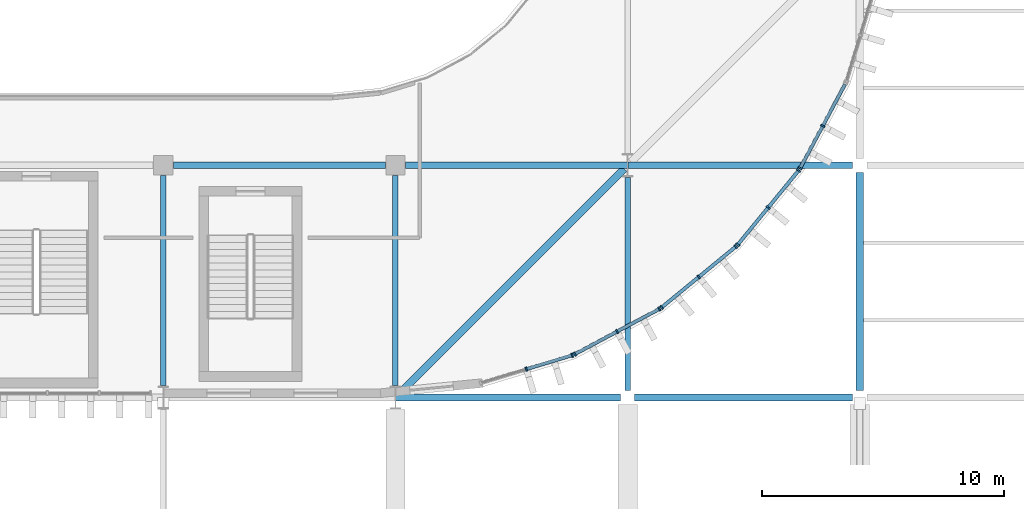
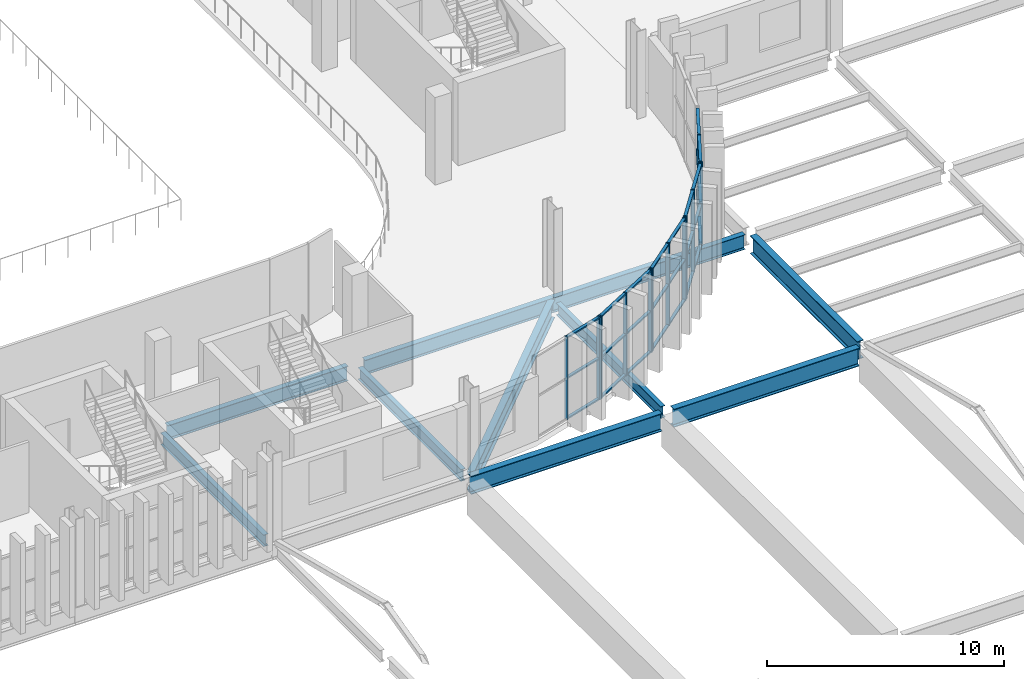
# One storey, part 18 of 75: 40 members, 10 beams, 5 elements without a shape of their own.
"""IFC4 building model written with IfcOpenShell, lengths in metres."""

import ifcopenshell
import ifcopenshell.guid

model = None  # the IFC model being written
_history = None  # IfcOwnerHistory: only IFC2X3 demands one
_inside = {}  # id of a spatial element -> (the spatial element, [elements in it])
_under = {}  # id of a project, library or spatial element -> (it, [spatial elements below it])
_declared = {}  # id of a project -> (the project, [libraries it declares])
_typed = {}  # id of a type object -> (the type object, [elements of that type])
_made_of = {}  # id of a material, layer set ... -> (it, [elements and type objects made of it])


def new_model(schema):
    """Start an empty IFC model of exactly this schema.

    Asked for "IFC4X3", IfcOpenShell would pick the latest addendum, in which some entities
    have other attributes; the version numbers below select the first issue.
    IFC2X3 requires an IfcOwnerHistory on every rooted entity: one is made here for all.
    """
    global model, _history
    if schema == "IFC4X3":
        model = ifcopenshell.file(schema_version=(4, 3, 0, 0))
    else:
        model = ifcopenshell.file(schema=schema)
    _inside.clear()
    _under.clear()
    _declared.clear()
    _typed.clear()
    _made_of.clear()
    _history = None
    if model.schema == "IFC2X3":
        org = make("IfcOrganization", Name="unknown")
        user = make(
            "IfcPersonAndOrganization",
            ThePerson=make("IfcPerson", FamilyName="unknown"),
            TheOrganization=org,
        )
        app = make(
            "IfcApplication",
            ApplicationDeveloper=org,
            Version="unknown",
            ApplicationFullName="unknown",
            ApplicationIdentifier="unknown",
        )
        _history = make(
            "IfcOwnerHistory",
            OwningUser=user,
            OwningApplication=app,
            ChangeAction="ADDED",
            CreationDate=0,
        )
    return model


def make(cls, **values):
    """One entity of the class cls with the attributes given. An attribute that is None is left unset."""
    return model.create_entity(
        cls, **{name: value for name, value in values.items() if value is not None}
    )


def rooted(cls, **values):
    """An entity with a GlobalId (a new one), such as an element, a storey or a relation."""
    return make(cls, GlobalId=ifcopenshell.guid.new(), OwnerHistory=_history, **values)


def si_unit(unit_type, name, prefix=None):
    """IfcSIUnit, for example si_unit("LENGTHUNIT", "METRE", prefix="MILLI")."""
    return make("IfcSIUnit", UnitType=unit_type, Prefix=prefix, Name=name)


def assignment(units):
    """IfcUnitAssignment: the units of a project."""
    return None if units is None else make("IfcUnitAssignment", Units=units)


def point(xyz):
    """IfcCartesianPoint."""
    return None if xyz is None else make("IfcCartesianPoint", Coordinates=xyz)


def direction(xyz):
    """IfcDirection."""
    return None if xyz is None else make("IfcDirection", DirectionRatios=xyz)


def frame(location, z_axis=None, x_axis=None):
    """IfcAxis2Placement3D, a coordinate frame: its origin and axes. An axis left out is left unset."""
    return make(
        "IfcAxis2Placement3D",
        Location=point(location),
        Axis=direction(z_axis),
        RefDirection=direction(x_axis),
    )


def frame_2d(location, x_axis=None):
    """IfcAxis2Placement2D, a coordinate frame in the plane: its origin and x axis."""
    return make(
        "IfcAxis2Placement2D", Location=point(location), RefDirection=direction(x_axis)
    )


def origin():
    """The frame at (0, 0, 0) with its axes left unset."""
    return frame((0.0, 0.0, 0.0))


def origin_2d():
    """The frame at (0, 0) in the plane with its x axis left unset."""
    return frame_2d((0.0, 0.0))


def place(relative_to, where):
    """IfcLocalPlacement: puts the frame where relative to a parent placement (None: the world)."""
    return make(
        "IfcLocalPlacement", PlacementRelTo=relative_to, RelativePlacement=where
    )


def context(
    kind, dimensions, precision=None, world=None, true_north=None, identifier=None
):
    """IfcGeometricRepresentationContext, for example the 3D "Model" context."""
    return make(
        "IfcGeometricRepresentationContext",
        ContextIdentifier=identifier,
        ContextType=kind,
        CoordinateSpaceDimension=dimensions,
        Precision=precision,
        WorldCoordinateSystem=world,
        TrueNorth=true_north,
    )


def subcontext(parent, identifier, kind, view, scale=None):
    """IfcGeometricRepresentationSubContext, for example "Body" below "Model"."""
    return make(
        "IfcGeometricRepresentationSubContext",
        ContextIdentifier=identifier,
        ContextType=kind,
        ParentContext=parent,
        TargetScale=scale,
        TargetView=view,
    )


def project(units=None, contexts=None):
    """IfcProject with its units and contexts."""
    return rooted(
        "IfcProject",
        Name="project",
        RepresentationContexts=contexts,
        UnitsInContext=assignment(units),
    )


def spatial(cls, under=None, at=None, **own):
    """A site, building, storey or space (cls), placed at a placement, below another one or the project."""
    s = rooted(cls, ObjectPlacement=at, **own)
    if under is not None:
        _under.setdefault(under.id(), (under, []))[1].append(s)
    return s


def profile(cls, at=None, kind="AREA", **sizes):
    """A parametric profile (cls). Its sizes go by their IFC names, for example OverallWidth=200.0."""
    return make(cls, ProfileType=kind, Position=at, **sizes)


def rectangle(**sizes):
    """IfcRectangleProfileDef."""
    return profile("IfcRectangleProfileDef", **sizes)


def i_section(**sizes):
    """IfcIShapeProfileDef."""
    return profile("IfcIShapeProfileDef", **sizes)


def extrude(swept, where, along, depth):
    """IfcExtrudedAreaSolid: the profile swept, set in the frame where, extruded along a direction by depth."""
    return make(
        "IfcExtrudedAreaSolid",
        SweptArea=swept,
        Position=where,
        ExtrudedDirection=direction(along),
        Depth=depth,
    )


def shape(context_of_items, identifier, shape_type, items):
    """IfcShapeRepresentation: the items that make up one representation, for example the "Body"."""
    return make(
        "IfcShapeRepresentation",
        ContextOfItems=context_of_items,
        RepresentationIdentifier=identifier,
        RepresentationType=shape_type,
        Items=items,
    )


def material(Name=None, Category=None):
    """IfcMaterial."""
    return make("IfcMaterial", Name=Name, Category=Category)


def layer(
    of_material, thickness, ventilated=None, Name=None, Category=None, Priority=None
):
    """IfcMaterialLayer: one layer of a wall or slab, of a material (None: an air gap)."""
    return make(
        "IfcMaterialLayer",
        Material=of_material,
        LayerThickness=thickness,
        IsVentilated=ventilated,
        Name=Name,
        Category=Category,
        Priority=Priority,
    )


def layer_set(layers, Name=None):
    """IfcMaterialLayerSet."""
    return make("IfcMaterialLayerSet", MaterialLayers=layers, LayerSetName=Name)


def material_profile(
    of_material, cross_section, Name=None, Category=None, Priority=None
):
    """IfcMaterialProfile: a cross section and its material."""
    return make(
        "IfcMaterialProfile",
        Name=Name,
        Material=of_material,
        Profile=cross_section,
        Priority=Priority,
        Category=Category,
    )


def profile_set(profiles, Name=None, composite=None):
    """IfcMaterialProfileSet."""
    return make(
        "IfcMaterialProfileSet",
        Name=Name,
        MaterialProfiles=profiles,
        CompositeProfile=composite,
    )


def made_of(thing, what):
    """Note that an element or type object is made of a material, layer set ...; save() writes the relation."""
    if what is not None:
        _made_of.setdefault(what.id(), (what, []))[1].append(thing)
    return thing


def type_object(cls, material=None, **own):
    """A type object (cls), such as IfcWallType, which elements share."""
    return made_of(rooted(cls, **own), material)


def element(
    cls,
    number,
    at=None,
    inside=None,
    cuts=None,
    type_object=None,
    material=None,
    context=None,
    identifier="Body",
    shape_type=None,
    held_by="IfcProductDefinitionShape",
    body=None,
    shapes=None,
    **own,
):
    """One element of the class cls, such as IfcWall. Its Tag is "e" and its number.

    at: its placement. inside: the storey or other place that contains it. cuts: it is an
    opening in that element (IfcRelVoidsElement). A single representation is given by context,
    identifier, shape_type and body (its items); several are given by shapes. held_by: the class
    of the entity that holds the representations. save() writes the other relations.
    """
    e = rooted(cls, Tag="e%d" % number, ObjectPlacement=at, **own)
    if body is not None:
        shapes = [shape(context, identifier, shape_type, body)]
    if shapes is not None:
        e.Representation = make(held_by, Representations=shapes)
    if inside is not None:
        _inside.setdefault(inside.id(), (inside, []))[1].append(e)
    if cuts is not None:
        rooted(
            "IfcRelVoidsElement", RelatingBuildingElement=cuts, RelatedOpeningElement=e
        )
    if type_object is not None:
        _typed.setdefault(type_object.id(), (type_object, []))[1].append(e)
    return made_of(e, material)


def aggregate(whole, parts):
    """IfcRelAggregates: a whole, such as a stair, and the parts it consists of."""
    return rooted("IfcRelAggregates", RelatingObject=whole, RelatedObjects=parts)


def save(model, path):
    """Write the relations noted so far, then the file.

    IfcRelAggregates (storeys below a building ...), IfcRelContainedInSpatialStructure (elements
    in a storey), IfcRelDefinesByType, IfcRelAssociatesMaterial and IfcRelDeclares: one each for
    every whole, place, type object, material and project.
    """
    for whole, parts in _under.values():
        aggregate(whole, parts)
    for where, things in _inside.values():
        rooted(
            "IfcRelContainedInSpatialStructure",
            RelatedElements=things,
            RelatingStructure=where,
        )
    for kind, things in _typed.values():
        rooted("IfcRelDefinesByType", RelatedObjects=things, RelatingType=kind)
    for what, things in _made_of.values():
        rooted("IfcRelAssociatesMaterial", RelatedObjects=things, RelatingMaterial=what)
    for by, libraries in _declared.values():
        rooted("IfcRelDeclares", RelatingContext=by, RelatedDefinitions=libraries)
    model.write(path)


model = new_model("IFC4")

# Units and contexts
model_context = context("Model", 3, precision=1e-05, world=origin(), true_north=direction((0.0, 1.0)))
body_context = subcontext(model_context, "Body", "Model", "MODEL_VIEW")
ifc_project = project(units=[si_unit("LENGTHUNIT", "METRE"), si_unit("AREAUNIT", "SQUARE_METRE"), si_unit("VOLUMEUNIT", "CUBIC_METRE"), si_unit("PLANEANGLEUNIT", "RADIAN"), si_unit("MASSUNIT", "GRAM", prefix="KILO")], contexts=[model_context])

# Site, building, storey
site_placement = place(None, origin())
site = spatial("IfcSite", under=ifc_project, at=site_placement, CompositionType="ELEMENT")
building_placement = place(site_placement, origin())
building = spatial("IfcBuilding", under=site, at=building_placement, Name="Caelomonte Colonnade Arena", CompositionType="ELEMENT")
storey_placement = place(building_placement, frame((0.0, 0.0, 14.10009765625)))
storey = spatial("IfcBuildingStorey", under=building, at=storey_placement, Name="L03", CompositionType="ELEMENT", Elevation=14.10009765625)

# Curtain wall, members
ifc_material_1 = material(Name="Bronze anodised aluminium and low-E glazing", Category="aluminium")
ifc_layer = layer(ifc_material_1, 0.179931640625)
ifc_layer_set = layer_set([ifc_layer], Name="Bronze anodised aluminium and low-E glazing")
curtain_wall_type = type_object("IfcCurtainWallType", Name="ENV-CW-CW-L03-44-42", PredefinedType="USERDEFINED", material=ifc_layer_set)
curtain_wall_1_placement = place(storey_placement, origin())
curtain_wall_1 = element("IfcCurtainWall", 1, at=curtain_wall_1_placement, inside=storey, type_object=curtain_wall_type, Name="L03 unitized curtain wall CW-L03-1494-0204", ObjectType="UNITIZED CURTAIN WALL", PredefinedType="USERDEFINED")
ifc_material_2 = material(Name="Bronze anodised aluminium AA6063-T6", Category="aluminium")
ifc_material_profile_1 = material_profile(ifc_material_2, rectangle(XDim=0.070068359375, YDim=0.179931640625, at=origin_2d()), Name="CWM-70X180")
ifc_profile_set_1 = profile_set([ifc_material_profile_1], Name="Bronze anodised aluminium AA6063-T6")
member_type_1 = type_object("IfcMemberType", Name="ENV-CW-MULL1", PredefinedType="MULLION", material=ifc_profile_set_1)
member_1_placement = place(storey_placement, frame((149.414306640625, 20.373291015625, 0.0), z_axis=(0.0, 0.0, 1.0), x_axis=(0.956949160999, 0.290255582655, 0.0)))
member_1 = element("IfcMember", 2, at=member_1_placement, type_object=member_type_1, Name="CW-L03-44-42 mullion 2", PredefinedType="MULLION", context=body_context, shape_type="SweptSolid", body=[
    extrude(rectangle(XDim=0.070068359375, YDim=0.179931640625, at=origin_2d()), origin(), (0.0, 0.0, 1.0), 4.239990234375),
])
member_2_placement = place(storey_placement, frame((151.3125, 20.948974609375, 0.0), z_axis=(0.0, 0.0, 1.0), x_axis=(0.956949160999, 0.290255582655, 0.0)))
member_2 = element("IfcMember", 3, at=member_2_placement, type_object=member_type_1, Name="CW-L03-44-42 mullion 3", PredefinedType="MULLION", context=body_context, shape_type="SweptSolid", body=[
    extrude(rectangle(XDim=0.070068359375, YDim=0.179931640625, at=origin_2d()), origin(), (0.0, 0.0, 1.0), 4.239990234375),
])

curtain_wall_2_placement = place(storey_placement, origin())
curtain_wall_2 = element("IfcCurtainWall", 4, at=curtain_wall_2_placement, inside=storey, type_object=curtain_wall_type, Name="L03 unitized curtain wall CW-L03-1532-0219", ObjectType="UNITIZED CURTAIN WALL", PredefinedType="USERDEFINED")
member_3_placement = place(storey_placement, frame((151.417724609375, 20.99267578125, 0.0), z_axis=(0.0, 0.0, 1.0), x_axis=(0.881922613642, 0.471394212466, 0.0)))
member_3 = element("IfcMember", 5, at=member_3_placement, type_object=member_type_1, Name="CW-L03-44-42 mullion 1", PredefinedType="MULLION", context=body_context, shape_type="SweptSolid", body=[
    extrude(rectangle(XDim=0.070068359375, YDim=0.179931640625, at=origin_2d()), origin(), (0.0, 0.0, 1.0), 4.239990234375),
])
member_4_placement = place(storey_placement, frame((153.166748046875, 21.927490234375, 0.0), z_axis=(0.0, 0.0, 1.0), x_axis=(0.881922613642, 0.471394212466, 0.0)))
member_4 = element("IfcMember", 6, at=member_4_placement, type_object=member_type_1, Name="CW-L03-44-42 mullion 2", PredefinedType="MULLION", context=body_context, shape_type="SweptSolid", body=[
    extrude(rectangle(XDim=0.070068359375, YDim=0.179931640625, at=origin_2d()), origin(), (0.0, 0.0, 1.0), 4.239990234375),
])
member_5_placement = place(storey_placement, frame((154.916015625, 22.862548828125, 0.0), z_axis=(0.0, 0.0, 1.0), x_axis=(0.881922613642, 0.471394212466, 0.0)))
member_5 = element("IfcMember", 7, at=member_5_placement, type_object=member_type_1, Name="CW-L03-44-42 mullion 3", PredefinedType="MULLION", context=body_context, shape_type="SweptSolid", body=[
    extrude(rectangle(XDim=0.070068359375, YDim=0.179931640625, at=origin_2d()), origin(), (0.0, 0.0, 1.0), 4.239990234375),
])

curtain_wall_3_placement = place(storey_placement, origin())
curtain_wall_3 = element("IfcCurtainWall", 8, at=curtain_wall_3_placement, inside=storey, type_object=curtain_wall_type, Name="L03 unitized curtain wall CW-L03-1565-0242", ObjectType="UNITIZED CURTAIN WALL", PredefinedType="USERDEFINED")
member_6_placement = place(storey_placement, frame((155.0107421875, 22.92578125, 0.0), z_axis=(0.0, 0.0, 1.0), x_axis=(0.772991751994, 0.634416071163, 0.0)))
member_6 = element("IfcMember", 9, at=member_6_placement, type_object=member_type_1, Name="CW-L03-44-42 mullion 1", PredefinedType="MULLION", context=body_context, shape_type="SweptSolid", body=[
    extrude(rectangle(XDim=0.070068359375, YDim=0.179931640625, at=origin_2d()), origin(), (0.0, 0.0, 1.0), 4.239990234375),
])
member_7_placement = place(storey_placement, frame((156.5439453125, 24.18408203125, 0.0), z_axis=(0.0, 0.0, 1.0), x_axis=(0.772991751994, 0.634416071163, 0.0)))
member_7 = element("IfcMember", 10, at=member_7_placement, type_object=member_type_1, Name="CW-L03-44-42 mullion 2", PredefinedType="MULLION", context=body_context, shape_type="SweptSolid", body=[
    extrude(rectangle(XDim=0.070068359375, YDim=0.179931640625, at=origin_2d()), origin(), (0.0, 0.0, 1.0), 4.239990234375),
])
member_8_placement = place(storey_placement, frame((158.0771484375, 25.4423828125, 0.0), z_axis=(0.0, 0.0, 1.0), x_axis=(0.772991751994, 0.634416071163, 0.0)))
member_8 = element("IfcMember", 11, at=member_8_placement, type_object=member_type_1, Name="CW-L03-44-42 mullion 3", PredefinedType="MULLION", context=body_context, shape_type="SweptSolid", body=[
    extrude(rectangle(XDim=0.070068359375, YDim=0.179931640625, at=origin_2d()), origin(), (0.0, 0.0, 1.0), 4.239990234375),
])

curtain_wall_4_placement = place(storey_placement, origin())
curtain_wall_4 = element("IfcCurtainWall", 12, at=curtain_wall_4_placement, inside=storey, type_object=curtain_wall_type, Name="L03 unitized curtain wall CW-L03-1594-0271", ObjectType="UNITIZED CURTAIN WALL", PredefinedType="USERDEFINED")
member_9_placement = place(storey_placement, frame((158.15771484375, 25.52294921875, 0.0), z_axis=(0.0, 0.0, 1.0), x_axis=(0.634416071163, 0.772991751994, 0.0)))
member_9 = element("IfcMember", 13, at=member_9_placement, type_object=member_type_1, Name="CW-L03-44-42 mullion 1", PredefinedType="MULLION", context=body_context, shape_type="SweptSolid", body=[
    extrude(rectangle(XDim=0.070068359375, YDim=0.179931640625, at=origin_2d()), origin(), (0.0, 0.0, 1.0), 4.239990234375),
])
member_10_placement = place(storey_placement, frame((159.416015625, 27.05615234375, 0.0), z_axis=(0.0, 0.0, 1.0), x_axis=(0.634416071163, 0.772991751994, 0.0)))
member_10 = element("IfcMember", 14, at=member_10_placement, type_object=member_type_1, Name="CW-L03-44-42 mullion 2", PredefinedType="MULLION", context=body_context, shape_type="SweptSolid", body=[
    extrude(rectangle(XDim=0.070068359375, YDim=0.179931640625, at=origin_2d()), origin(), (0.0, 0.0, 1.0), 4.239990234375),
])
member_11_placement = place(storey_placement, frame((160.67431640625, 28.58935546875, 0.0), z_axis=(0.0, 0.0, 1.0), x_axis=(0.634416071163, 0.772991751994, 0.0)))
member_11 = element("IfcMember", 15, at=member_11_placement, type_object=member_type_1, Name="CW-L03-44-42 mullion 3", PredefinedType="MULLION", context=body_context, shape_type="SweptSolid", body=[
    extrude(rectangle(XDim=0.070068359375, YDim=0.179931640625, at=origin_2d()), origin(), (0.0, 0.0, 1.0), 4.239990234375),
])

curtain_wall_5_placement = place(storey_placement, origin())
curtain_wall_5 = element("IfcCurtainWall", 16, at=curtain_wall_5_placement, inside=storey, type_object=curtain_wall_type, Name="L03 unitized curtain wall CW-L03-1617-0304", ObjectType="UNITIZED CURTAIN WALL", PredefinedType="USERDEFINED")
member_12_placement = place(storey_placement, frame((160.737548828125, 28.68408203125, 0.0), z_axis=(0.0, 0.0, 1.0), x_axis=(0.471394212466, 0.881922613642, 0.0)))
member_12 = element("IfcMember", 17, at=member_12_placement, type_object=member_type_1, Name="CW-L03-44-42 mullion 1", PredefinedType="MULLION", context=body_context, shape_type="SweptSolid", body=[
    extrude(rectangle(XDim=0.070068359375, YDim=0.179931640625, at=origin_2d()), origin(), (0.0, 0.0, 1.0), 4.239990234375),
])
member_13_placement = place(storey_placement, frame((161.67236328125, 30.43310546875, 0.0), z_axis=(0.0, 0.0, 1.0), x_axis=(0.471394212466, 0.881922613642, 0.0)))
member_13 = element("IfcMember", 18, at=member_13_placement, type_object=member_type_1, Name="CW-L03-44-42 mullion 2", PredefinedType="MULLION", context=body_context, shape_type="SweptSolid", body=[
    extrude(rectangle(XDim=0.070068359375, YDim=0.179931640625, at=origin_2d()), origin(), (0.0, 0.0, 1.0), 4.239990234375),
])

# Member
ifc_material_profile_2 = material_profile(ifc_material_2, rectangle(XDim=0.070068359375, YDim=0.139892578125, at=origin_2d()), Name="CWT-70X140")
ifc_profile_set_2 = profile_set([ifc_material_profile_2], Name="Bronze anodised aluminium AA6063-T6")
member_type_2 = type_object("IfcMemberType", Name="ENV-CW-TRAN1", PredefinedType="USERDEFINED", material=ifc_profile_set_2)
member_14_placement = place(storey_placement, frame((149.447998046875, 20.38330078125, 0.034912109375), z_axis=(0.956933131783, 0.290308424431, 0.0), x_axis=(0.0, 0.0, 1.0)))
member_14 = element("IfcMember", 19, at=member_14_placement, type_object=member_type_2, Name="CW-L03-44-42 transom 2.1", ObjectType="TRANSOM", PredefinedType="USERDEFINED", context=body_context, shape_type="SweptSolid", body=[
    extrude(rectangle(XDim=0.070068359375, YDim=0.139892578125, at=origin_2d()), origin(), (0.0, 0.0, 1.0), 1.9130859375),
])

member_15_placement = place(storey_placement, frame((149.447998046875, 20.38330078125, 2.119873046875), z_axis=(0.956933131783, 0.290308424431, 0.0), x_axis=(0.0, 0.0, 1.0)))
member_15 = element("IfcMember", 20, at=member_15_placement, type_object=member_type_2, Name="CW-L03-44-42 transom 2.2", ObjectType="TRANSOM", PredefinedType="USERDEFINED", context=body_context, shape_type="SweptSolid", body=[
    extrude(rectangle(XDim=0.070068359375, YDim=0.139892578125, at=origin_2d()), origin(), (0.0, 0.0, 1.0), 1.9130859375),
])

member_16_placement = place(storey_placement, frame((149.447998046875, 20.38330078125, 4.204833984375), z_axis=(0.956933131783, 0.290308424431, 0.0), x_axis=(0.0, 0.0, 1.0)))
member_16 = element("IfcMember", 21, at=member_16_placement, type_object=member_type_2, Name="CW-L03-44-42 transom 2.3", ObjectType="TRANSOM", PredefinedType="USERDEFINED", context=body_context, shape_type="SweptSolid", body=[
    extrude(rectangle(XDim=0.070068359375, YDim=0.139892578125, at=origin_2d()), origin(), (0.0, 0.0, 1.0), 1.9130859375),
])

aggregate(curtain_wall_1, [member_1, member_2, member_14, member_15, member_16])

member_17_placement = place(storey_placement, frame((151.448486328125, 21.009033203125, 0.034912109375), z_axis=(0.881896914799, 0.471442288799, 0.0), x_axis=(0.0, 0.0, 1.0)))
member_17 = element("IfcMember", 22, at=member_17_placement, type_object=member_type_2, Name="CW-L03-44-42 transom 1.1", ObjectType="TRANSOM", PredefinedType="USERDEFINED", context=body_context, shape_type="SweptSolid", body=[
    extrude(rectangle(XDim=0.070068359375, YDim=0.139892578125, at=origin_2d()), origin(), (0.0, 0.0, 1.0), 1.91357421875),
])

member_18_placement = place(storey_placement, frame((151.448486328125, 21.009033203125, 2.119873046875), z_axis=(0.881896914799, 0.471442288799, 0.0), x_axis=(0.0, 0.0, 1.0)))
member_18 = element("IfcMember", 23, at=member_18_placement, type_object=member_type_2, Name="CW-L03-44-42 transom 1.2", ObjectType="TRANSOM", PredefinedType="USERDEFINED", context=body_context, shape_type="SweptSolid", body=[
    extrude(rectangle(XDim=0.070068359375, YDim=0.139892578125, at=origin_2d()), origin(), (0.0, 0.0, 1.0), 1.91357421875),
])

member_19_placement = place(storey_placement, frame((151.448486328125, 21.009033203125, 4.204833984375), z_axis=(0.881896914799, 0.471442288799, 0.0), x_axis=(0.0, 0.0, 1.0)))
member_19 = element("IfcMember", 24, at=member_19_placement, type_object=member_type_2, Name="CW-L03-44-42 transom 1.3", ObjectType="TRANSOM", PredefinedType="USERDEFINED", context=body_context, shape_type="SweptSolid", body=[
    extrude(rectangle(XDim=0.070068359375, YDim=0.139892578125, at=origin_2d()), origin(), (0.0, 0.0, 1.0), 1.91357421875),
])

member_20_placement = place(storey_placement, frame((153.19775390625, 21.944091796875, 0.034912109375), z_axis=(0.88194995936, 0.471343048304, 0.0), x_axis=(0.0, 0.0, 1.0)))
member_20 = element("IfcMember", 25, at=member_20_placement, type_object=member_type_2, Name="CW-L03-44-42 transom 2.1", ObjectType="TRANSOM", PredefinedType="USERDEFINED", context=body_context, shape_type="SweptSolid", body=[
    extrude(rectangle(XDim=0.070068359375, YDim=0.139892578125, at=origin_2d()), origin(), (0.0, 0.0, 1.0), 1.913330078125),
])

member_21_placement = place(storey_placement, frame((153.19775390625, 21.944091796875, 2.119873046875), z_axis=(0.88194995936, 0.471343048304, 0.0), x_axis=(0.0, 0.0, 1.0)))
member_21 = element("IfcMember", 26, at=member_21_placement, type_object=member_type_2, Name="CW-L03-44-42 transom 2.2", ObjectType="TRANSOM", PredefinedType="USERDEFINED", context=body_context, shape_type="SweptSolid", body=[
    extrude(rectangle(XDim=0.070068359375, YDim=0.139892578125, at=origin_2d()), origin(), (0.0, 0.0, 1.0), 1.913330078125),
])

member_22_placement = place(storey_placement, frame((153.19775390625, 21.944091796875, 4.204833984375), z_axis=(0.88194995936, 0.471343048304, 0.0), x_axis=(0.0, 0.0, 1.0)))
member_22 = element("IfcMember", 27, at=member_22_placement, type_object=member_type_2, Name="CW-L03-44-42 transom 2.3", ObjectType="TRANSOM", PredefinedType="USERDEFINED", context=body_context, shape_type="SweptSolid", body=[
    extrude(rectangle(XDim=0.070068359375, YDim=0.139892578125, at=origin_2d()), origin(), (0.0, 0.0, 1.0), 1.913330078125),
])

aggregate(curtain_wall_2, [member_3, member_4, member_5, member_17, member_18, member_19, member_20, member_21, member_22])

member_23_placement = place(storey_placement, frame((155.037841796875, 22.947998046875, 0.034912109375), z_axis=(0.772989936128, 0.634418283662, 0.0), x_axis=(0.0, 0.0, 1.0)))
member_23 = element("IfcMember", 28, at=member_23_placement, type_object=member_type_2, Name="CW-L03-44-42 transom 1.1", ObjectType="TRANSOM", PredefinedType="USERDEFINED", context=body_context, shape_type="SweptSolid", body=[
    extrude(rectangle(XDim=0.070068359375, YDim=0.139892578125, at=origin_2d()), origin(), (0.0, 0.0, 1.0), 1.913330078125),
])

member_24_placement = place(storey_placement, frame((155.037841796875, 22.947998046875, 2.119873046875), z_axis=(0.772989936128, 0.634418283662, 0.0), x_axis=(0.0, 0.0, 1.0)))
member_24 = element("IfcMember", 29, at=member_24_placement, type_object=member_type_2, Name="CW-L03-44-42 transom 1.2", ObjectType="TRANSOM", PredefinedType="USERDEFINED", context=body_context, shape_type="SweptSolid", body=[
    extrude(rectangle(XDim=0.070068359375, YDim=0.139892578125, at=origin_2d()), origin(), (0.0, 0.0, 1.0), 1.913330078125),
])

member_25_placement = place(storey_placement, frame((155.037841796875, 22.947998046875, 4.204833984375), z_axis=(0.772989936128, 0.634418283662, 0.0), x_axis=(0.0, 0.0, 1.0)))
member_25 = element("IfcMember", 30, at=member_25_placement, type_object=member_type_2, Name="CW-L03-44-42 transom 1.3", ObjectType="TRANSOM", PredefinedType="USERDEFINED", context=body_context, shape_type="SweptSolid", body=[
    extrude(rectangle(XDim=0.070068359375, YDim=0.139892578125, at=origin_2d()), origin(), (0.0, 0.0, 1.0), 1.913330078125),
])

member_26_placement = place(storey_placement, frame((156.571044921875, 24.206298828125, 0.034912109375), z_axis=(0.772989936128, 0.634418283662, 0.0), x_axis=(0.0, 0.0, 1.0)))
member_26 = element("IfcMember", 31, at=member_26_placement, type_object=member_type_2, Name="CW-L03-44-42 transom 2.1", ObjectType="TRANSOM", PredefinedType="USERDEFINED", context=body_context, shape_type="SweptSolid", body=[
    extrude(rectangle(XDim=0.070068359375, YDim=0.139892578125, at=origin_2d()), origin(), (0.0, 0.0, 1.0), 1.913330078125),
])

member_27_placement = place(storey_placement, frame((156.571044921875, 24.206298828125, 2.119873046875), z_axis=(0.772989936128, 0.634418283662, 0.0), x_axis=(0.0, 0.0, 1.0)))
member_27 = element("IfcMember", 32, at=member_27_placement, type_object=member_type_2, Name="CW-L03-44-42 transom 2.2", ObjectType="TRANSOM", PredefinedType="USERDEFINED", context=body_context, shape_type="SweptSolid", body=[
    extrude(rectangle(XDim=0.070068359375, YDim=0.139892578125, at=origin_2d()), origin(), (0.0, 0.0, 1.0), 1.913330078125),
])

member_28_placement = place(storey_placement, frame((156.571044921875, 24.206298828125, 4.204833984375), z_axis=(0.772989936128, 0.634418283662, 0.0), x_axis=(0.0, 0.0, 1.0)))
member_28 = element("IfcMember", 33, at=member_28_placement, type_object=member_type_2, Name="CW-L03-44-42 transom 2.3", ObjectType="TRANSOM", PredefinedType="USERDEFINED", context=body_context, shape_type="SweptSolid", body=[
    extrude(rectangle(XDim=0.070068359375, YDim=0.139892578125, at=origin_2d()), origin(), (0.0, 0.0, 1.0), 1.913330078125),
])

aggregate(curtain_wall_3, [member_6, member_7, member_8, member_23, member_24, member_25, member_26, member_27, member_28])

member_29_placement = place(storey_placement, frame((158.1796875, 25.550048828125, 0.034912109375), z_axis=(0.634494516049, 0.772927363407, 0.0), x_axis=(0.0, 0.0, 1.0)))
member_29 = element("IfcMember", 34, at=member_29_placement, type_object=member_type_2, Name="CW-L03-44-42 transom 1.1", ObjectType="TRANSOM", PredefinedType="USERDEFINED", context=body_context, shape_type="SweptSolid", body=[
    extrude(rectangle(XDim=0.070068359375, YDim=0.139892578125, at=origin_2d()), origin(), (0.0, 0.0, 1.0), 1.91357421875),
])

member_30_placement = place(storey_placement, frame((158.1796875, 25.550048828125, 2.119873046875), z_axis=(0.634494516049, 0.772927363407, 0.0), x_axis=(0.0, 0.0, 1.0)))
member_30 = element("IfcMember", 35, at=member_30_placement, type_object=member_type_2, Name="CW-L03-44-42 transom 1.2", ObjectType="TRANSOM", PredefinedType="USERDEFINED", context=body_context, shape_type="SweptSolid", body=[
    extrude(rectangle(XDim=0.070068359375, YDim=0.139892578125, at=origin_2d()), origin(), (0.0, 0.0, 1.0), 1.91357421875),
])

member_31_placement = place(storey_placement, frame((158.1796875, 25.550048828125, 4.204833984375), z_axis=(0.634494516049, 0.772927363407, 0.0), x_axis=(0.0, 0.0, 1.0)))
member_31 = element("IfcMember", 36, at=member_31_placement, type_object=member_type_2, Name="CW-L03-44-42 transom 1.3", ObjectType="TRANSOM", PredefinedType="USERDEFINED", context=body_context, shape_type="SweptSolid", body=[
    extrude(rectangle(XDim=0.070068359375, YDim=0.139892578125, at=origin_2d()), origin(), (0.0, 0.0, 1.0), 1.91357421875),
])

member_32_placement = place(storey_placement, frame((159.43798828125, 27.083251953125, 0.034912109375), z_axis=(0.634494516049, 0.772927363407, 0.0), x_axis=(0.0, 0.0, 1.0)))
member_32 = element("IfcMember", 37, at=member_32_placement, type_object=member_type_2, Name="CW-L03-44-42 transom 2.1", ObjectType="TRANSOM", PredefinedType="USERDEFINED", context=body_context, shape_type="SweptSolid", body=[
    extrude(rectangle(XDim=0.070068359375, YDim=0.139892578125, at=origin_2d()), origin(), (0.0, 0.0, 1.0), 1.91357421875),
])

member_33_placement = place(storey_placement, frame((159.43798828125, 27.083251953125, 2.119873046875), z_axis=(0.634494516049, 0.772927363407, 0.0), x_axis=(0.0, 0.0, 1.0)))
member_33 = element("IfcMember", 38, at=member_33_placement, type_object=member_type_2, Name="CW-L03-44-42 transom 2.2", ObjectType="TRANSOM", PredefinedType="USERDEFINED", context=body_context, shape_type="SweptSolid", body=[
    extrude(rectangle(XDim=0.070068359375, YDim=0.139892578125, at=origin_2d()), origin(), (0.0, 0.0, 1.0), 1.91357421875),
])

member_34_placement = place(storey_placement, frame((159.43798828125, 27.083251953125, 4.204833984375), z_axis=(0.634494516049, 0.772927363407, 0.0), x_axis=(0.0, 0.0, 1.0)))
member_34 = element("IfcMember", 39, at=member_34_placement, type_object=member_type_2, Name="CW-L03-44-42 transom 2.3", ObjectType="TRANSOM", PredefinedType="USERDEFINED", context=body_context, shape_type="SweptSolid", body=[
    extrude(rectangle(XDim=0.070068359375, YDim=0.139892578125, at=origin_2d()), origin(), (0.0, 0.0, 1.0), 1.91357421875),
])

aggregate(curtain_wall_4, [member_9, member_10, member_11, member_29, member_30, member_31, member_32, member_33, member_34])

member_35_placement = place(storey_placement, frame((160.75390625, 28.71484375, 0.034912109375), z_axis=(0.471442288799, 0.881896914799, 0.0), x_axis=(0.0, 0.0, 1.0)))
member_35 = element("IfcMember", 40, at=member_35_placement, type_object=member_type_2, Name="CW-L03-44-42 transom 1.1", ObjectType="TRANSOM", PredefinedType="USERDEFINED", context=body_context, shape_type="SweptSolid", body=[
    extrude(rectangle(XDim=0.070068359375, YDim=0.139892578125, at=origin_2d()), origin(), (0.0, 0.0, 1.0), 1.91357421875),
])

member_36_placement = place(storey_placement, frame((160.75390625, 28.71484375, 2.119873046875), z_axis=(0.471442288799, 0.881896914799, 0.0), x_axis=(0.0, 0.0, 1.0)))
member_36 = element("IfcMember", 41, at=member_36_placement, type_object=member_type_2, Name="CW-L03-44-42 transom 1.2", ObjectType="TRANSOM", PredefinedType="USERDEFINED", context=body_context, shape_type="SweptSolid", body=[
    extrude(rectangle(XDim=0.070068359375, YDim=0.139892578125, at=origin_2d()), origin(), (0.0, 0.0, 1.0), 1.91357421875),
])

member_37_placement = place(storey_placement, frame((160.75390625, 28.71484375, 4.204833984375), z_axis=(0.471442288799, 0.881896914799, 0.0), x_axis=(0.0, 0.0, 1.0)))
member_37 = element("IfcMember", 42, at=member_37_placement, type_object=member_type_2, Name="CW-L03-44-42 transom 1.3", ObjectType="TRANSOM", PredefinedType="USERDEFINED", context=body_context, shape_type="SweptSolid", body=[
    extrude(rectangle(XDim=0.070068359375, YDim=0.139892578125, at=origin_2d()), origin(), (0.0, 0.0, 1.0), 1.91357421875),
])

member_38_placement = place(storey_placement, frame((161.68896484375, 30.464111328125, 0.034912109375), z_axis=(0.471396095589, 0.881921607096, 0.0), x_axis=(0.0, 0.0, 1.0)))
member_38 = element("IfcMember", 43, at=member_38_placement, type_object=member_type_2, Name="CW-L03-44-42 transom 2.1", ObjectType="TRANSOM", PredefinedType="USERDEFINED", context=body_context, shape_type="SweptSolid", body=[
    extrude(rectangle(XDim=0.070068359375, YDim=0.139892578125, at=origin_2d()), origin(), (0.0, 0.0, 1.0), 1.9130859375),
])

member_39_placement = place(storey_placement, frame((161.68896484375, 30.464111328125, 2.119873046875), z_axis=(0.471396095589, 0.881921607096, 0.0), x_axis=(0.0, 0.0, 1.0)))
member_39 = element("IfcMember", 44, at=member_39_placement, type_object=member_type_2, Name="CW-L03-44-42 transom 2.2", ObjectType="TRANSOM", PredefinedType="USERDEFINED", context=body_context, shape_type="SweptSolid", body=[
    extrude(rectangle(XDim=0.070068359375, YDim=0.139892578125, at=origin_2d()), origin(), (0.0, 0.0, 1.0), 1.9130859375),
])

member_40_placement = place(storey_placement, frame((161.68896484375, 30.464111328125, 4.204833984375), z_axis=(0.471396095589, 0.881921607096, 0.0), x_axis=(0.0, 0.0, 1.0)))
member_40 = element("IfcMember", 45, at=member_40_placement, type_object=member_type_2, Name="CW-L03-44-42 transom 2.3", ObjectType="TRANSOM", PredefinedType="USERDEFINED", context=body_context, shape_type="SweptSolid", body=[
    extrude(rectangle(XDim=0.070068359375, YDim=0.139892578125, at=origin_2d()), origin(), (0.0, 0.0, 1.0), 1.9130859375),
])

aggregate(curtain_wall_5, [member_12, member_13, member_35, member_36, member_37, member_38, member_39, member_40])

# Beams
ifc_material_3 = material(Name="Wide-flange steel ASTM A992 Grade 50", Category="steel")
ifc_material_profile_3 = material_profile(ifc_material_3, i_section(OverallWidth=0.307861328125, OverallDepth=0.927001953125, WebThickness=0.019287109375, FlangeThickness=0.031982421875, FilletRadius=0.020263671875, at=origin_2d()), Name="W36X194")
ifc_profile_set_3 = profile_set([ifc_material_profile_3], Name="Wide-flange steel ASTM A992 Grade 50")
beam_type_1 = type_object("IfcBeamType", Name="STR-BM-EAVES2", PredefinedType="SPANDREL", material=ifc_profile_set_3)
beam_1_placement = place(storey_placement, frame((144.01171875, 19.199951171875, -0.74365234375), z_axis=(1.0, 0.0, 0.0), x_axis=(0.0, 1.0, 0.0)))
element("IfcBeam", 46, at=beam_1_placement, inside=storey, type_object=beam_type_1, Name="L03 girder BMX-L03-1440-0192", PredefinedType="SPANDREL", context=body_context, shape_type="SweptSolid", body=[
    extrude(i_section(OverallWidth=0.307861328125, OverallDepth=0.927001953125, WebThickness=0.019287109375, FlangeThickness=0.031982421875, FilletRadius=0.020263671875, at=origin_2d()), origin(), (0.0, 0.0, 1.0), 9.29638671875),
])
beam_2_placement = place(storey_placement, frame((153.89208984375, 19.199951171875, -0.74365234375), z_axis=(1.0, 0.0, 0.0), x_axis=(0.0, 1.0, 0.0)))
element("IfcBeam", 47, at=beam_2_placement, inside=storey, type_object=beam_type_1, Name="L03 girder BMX-L03-1536-0192", PredefinedType="SPANDREL", context=body_context, shape_type="SweptSolid", body=[
    extrude(i_section(OverallWidth=0.307861328125, OverallDepth=0.927001953125, WebThickness=0.019287109375, FlangeThickness=0.031982421875, FilletRadius=0.020263671875, at=origin_2d()), origin(), (0.0, 0.0, 1.0), 9.015869140625),
])
beam_3_placement = place(storey_placement, frame((163.199951171875, 19.491943359375, -0.74365234375), z_axis=(0.0, 1.0, 0.0), x_axis=(-1.0, 0.0, 0.0)))
element("IfcBeam", 48, at=beam_3_placement, inside=storey, type_object=beam_type_1, Name="L03 girder BMY-L03-1632-0192", PredefinedType="SPANDREL", context=body_context, shape_type="SweptSolid", body=[
    extrude(i_section(OverallWidth=0.307861328125, OverallDepth=0.927001953125, WebThickness=0.019287109375, FlangeThickness=0.031982421875, FilletRadius=0.020263671875, at=origin_2d()), origin(), (0.0, 0.0, 1.0), 9.01611328125),
])
beam_4_placement = place(storey_placement, frame((144.142578125, 19.342529296875, -0.74365234375), z_axis=(0.707106781187, 0.707106781187, 0.0), x_axis=(-0.707106781187, 0.707106781187, 0.0)))
element("IfcBeam", 49, at=beam_4_placement, inside=storey, type_object=beam_type_1, Name="L03 drum corner ring girder 3", PredefinedType="SPANDREL", context=body_context, shape_type="SweptSolid", body=[
    extrude(i_section(OverallWidth=0.307861328125, OverallDepth=0.927001953125, WebThickness=0.019287109375, FlangeThickness=0.031982421875, FilletRadius=0.020263671875, at=origin_2d()), origin(), (0.0, 0.0, 1.0), 13.17333984375),
])
ifc_material_profile_4 = material_profile(ifc_material_3, i_section(OverallWidth=0.228271484375, OverallDepth=0.607177734375, WebThickness=0.01123046875, FlangeThickness=0.017333984375, FilletRadius=0.0126953125, at=origin_2d()), Name="W24X76")
ifc_profile_set_4 = profile_set([ifc_material_profile_4], Name="Wide-flange steel ASTM A992 Grade 50")
beam_type_2 = type_object("IfcBeamType", Name="STR-BM-GIRD24", PredefinedType="BEAM", material=ifc_profile_set_4)
for number, where, z_axis, x_axis, name in (
    (50, (134.39990234375, 19.697509765625, -0.58349609375), (0.0, 1.0, 0.0), (-1.0, 0.0, 0.0), "L03 girder BMY-L03-1344-0192"),
    (51, (144.0, 19.697509765625, -0.58349609375), (0.0, 1.0, 0.0), (-1.0, 0.0, 0.0), "L03 girder BMY-L03-1440-0192"),
):
    element("IfcBeam", number, at=place(storey_placement, frame(where, z_axis=z_axis, x_axis=x_axis)), inside=storey, type_object=beam_type_2, Name=name, PredefinedType="BEAM", context=body_context, shape_type="SweptSolid", body=[
        extrude(i_section(OverallWidth=0.228271484375, OverallDepth=0.607177734375, WebThickness=0.01123046875, FlangeThickness=0.017333984375, FilletRadius=0.0126953125, at=origin_2d()), origin(), (0.0, 0.0, 1.0), 8.685546875),
    ])
beam_5_placement = place(storey_placement, frame((153.60009765625, 19.491943359375, -0.58349609375), z_axis=(0.0, 1.0, 0.0), x_axis=(-1.0, 0.0, 0.0)))
element("IfcBeam", 52, at=beam_5_placement, inside=storey, type_object=beam_type_2, Name="L03 girder BMY-L03-1536-0192", PredefinedType="BEAM", context=body_context, shape_type="SweptSolid", body=[
    extrude(i_section(OverallWidth=0.228271484375, OverallDepth=0.607177734375, WebThickness=0.01123046875, FlangeThickness=0.017333984375, FilletRadius=0.0126953125, at=origin_2d()), origin(), (0.0, 0.0, 1.0), 8.810546875),
])
ifc_material_profile_5 = material_profile(ifc_material_3, i_section(OverallWidth=0.265380859375, OverallDepth=0.75439453125, WebThickness=0.01318359375, FlangeThickness=0.01708984375, FilletRadius=0.0166015625, at=origin_2d()), Name="W30X99")
ifc_profile_set_5 = profile_set([ifc_material_profile_5], Name="Wide-flange steel ASTM A992 Grade 50")
beam_type_3 = type_object("IfcBeamType", Name="STR-BM-GIRD30B", PredefinedType="BEAM", material=ifc_profile_set_5)
beam_6_placement = place(storey_placement, frame((134.81689453125, 28.800048828125, -0.6572265625), z_axis=(1.0, 0.0, 0.0), x_axis=(0.0, 1.0, 0.0)))
element("IfcBeam", 53, at=beam_6_placement, inside=storey, type_object=beam_type_3, Name="L03 girder BMX-L03-1344-0288", PredefinedType="BEAM", context=body_context, shape_type="SweptSolid", body=[
    extrude(i_section(OverallWidth=0.265380859375, OverallDepth=0.75439453125, WebThickness=0.01318359375, FlangeThickness=0.01708984375, FilletRadius=0.0166015625, at=origin_2d()), origin(), (0.0, 0.0, 1.0), 8.76611328125),
])
beam_7_placement = place(storey_placement, frame((144.4169921875, 28.800048828125, -0.6572265625), z_axis=(1.0, 0.0, 0.0), x_axis=(0.0, 1.0, 0.0)))
element("IfcBeam", 54, at=beam_7_placement, inside=storey, type_object=beam_type_3, Name="L03 girder BMX-L03-1440-0288", PredefinedType="BEAM", context=body_context, shape_type="SweptSolid", body=[
    extrude(i_section(OverallWidth=0.265380859375, OverallDepth=0.75439453125, WebThickness=0.01318359375, FlangeThickness=0.01708984375, FilletRadius=0.0166015625, at=origin_2d()), origin(), (0.0, 0.0, 1.0), 9.171142578125),
])
beam_8_placement = place(storey_placement, frame((153.61181640625, 28.800048828125, -0.6572265625), z_axis=(1.0, 0.0, 0.0), x_axis=(0.0, 1.0, 0.0)))
element("IfcBeam", 55, at=beam_8_placement, inside=storey, type_object=beam_type_3, Name="L03 girder BMX-L03-1536-0288", PredefinedType="BEAM", context=body_context, shape_type="SweptSolid", body=[
    extrude(i_section(OverallWidth=0.265380859375, OverallDepth=0.75439453125, WebThickness=0.01318359375, FlangeThickness=0.01708984375, FilletRadius=0.0166015625, at=origin_2d()), origin(), (0.0, 0.0, 1.0), 9.296142578125),
])

save(model, "model.ifc")
